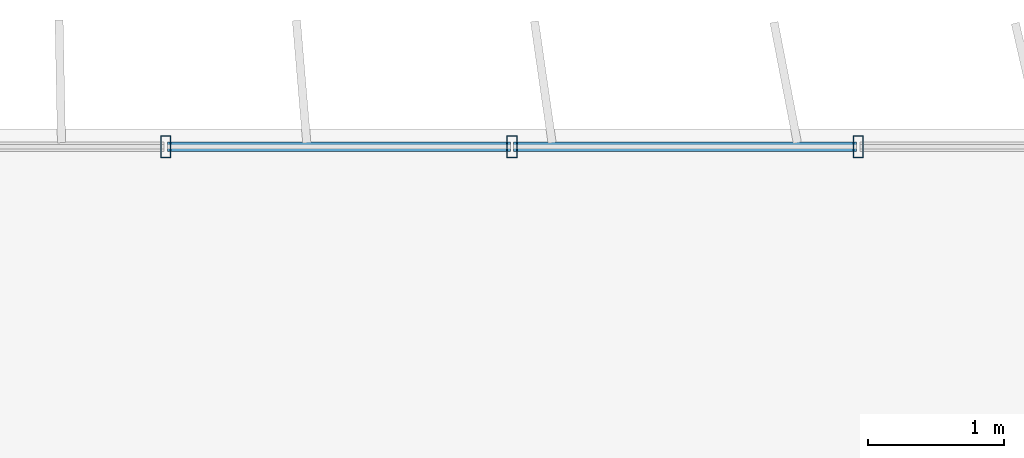
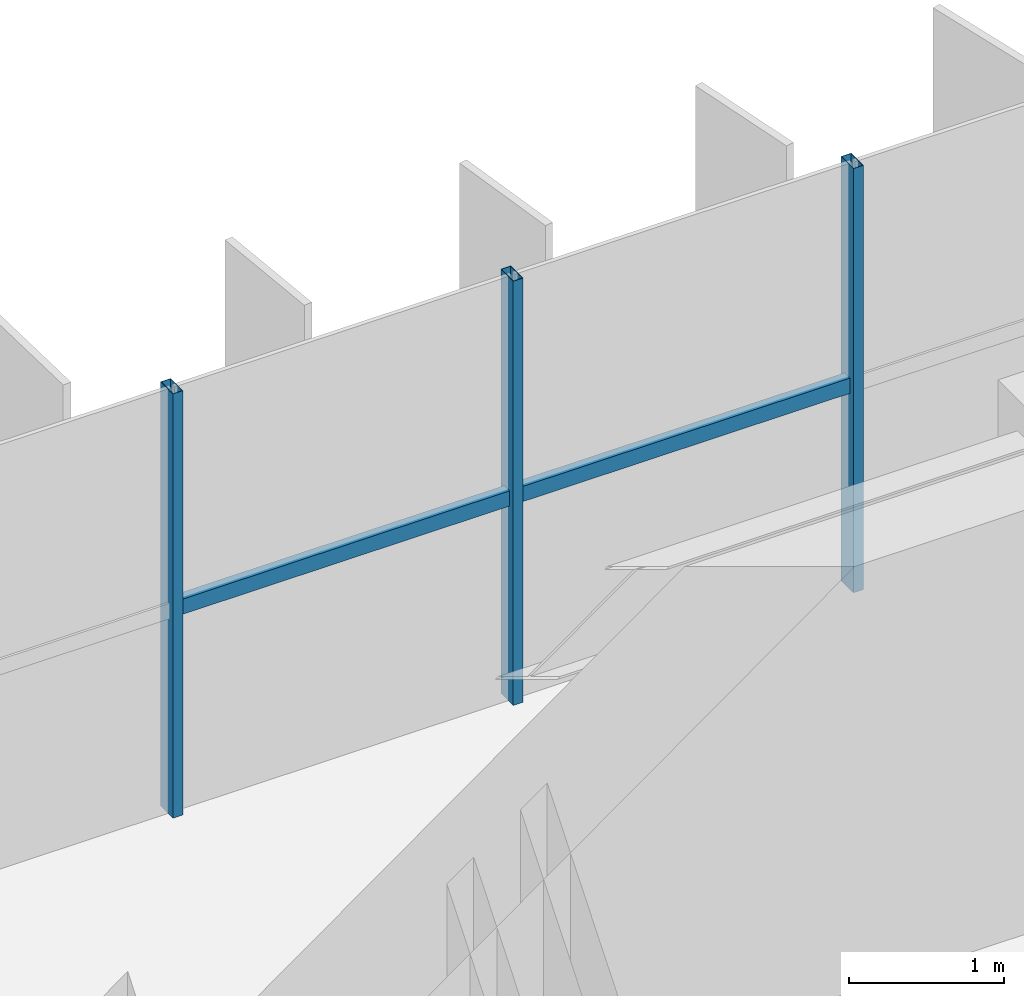
# One storey, part 6 of 21: 5 members, 1 element without a shape of its own.
"""IFC4 building model written with IfcOpenShell, lengths in metres."""

from ifc_helpers import new_model, si_unit, direction, frame, origin, origin_2d, place, context, subcontext, project, spatial, hollow_rectangle, extrude, source, transform, mapped, material, material_profile, profile_set, type_object, element, aggregate, save


model = new_model("IFC4")

# Units and contexts
model_context = context("Model", 3, precision=1e-05, world=origin(), true_north=direction((0.0, 1.0)))
body_context = subcontext(model_context, "Body", "Model", "MODEL_VIEW")
ifc_project = project(units=[si_unit("LENGTHUNIT", "METRE"), si_unit("AREAUNIT", "SQUARE_METRE"), si_unit("VOLUMEUNIT", "CUBIC_METRE"), si_unit("PLANEANGLEUNIT", "RADIAN"), si_unit("MASSUNIT", "GRAM", prefix="KILO")], contexts=[model_context])

# Site, building, storey
site_placement = place(None, origin())
site = spatial("IfcSite", under=ifc_project, at=site_placement, CompositionType="ELEMENT")
building_placement = place(site_placement, origin())
building = spatial("IfcBuilding", under=site, at=building_placement, Name="Trelvane Seafront Commons", CompositionType="ELEMENT")
storey_placement = place(building_placement, frame((0.0, 0.0, 160.89990234375)))
storey = spatial("IfcBuildingStorey", under=building, at=storey_placement, Name="L42", CompositionType="ELEMENT", Elevation=160.89990234375)

# Curtain wall, members
ifc_material = material(Name="Anodised pale-silver aluminium", Category="aluminium")
curtain_wall_type = type_object("IfcCurtainWallType", Name="ARCH-CW5-UPTOWER", PredefinedType="NOTDEFINED", material=ifc_material)
curtain_wall_placement = place(storey_placement, origin())
curtain_wall = element("IfcCurtainWall", 1, at=curtain_wall_placement, inside=storey, type_object=curtain_wall_type, Name="CW-L42-0069", PredefinedType="NOTDEFINED")
ifc_material_profile_1 = material_profile(ifc_material, hollow_rectangle(XDim=0.070068359375, YDim=0.1201171875, WallThickness=0.00390625, at=origin_2d()), Name="TRAN-70x120x4")
ifc_profile_set_1 = profile_set([ifc_material_profile_1], Name="Anodised pale-silver aluminium")
member_type_1 = type_object("IfcMemberType", Name="ARCH-CW-TRAN-120", PredefinedType="USERDEFINED", material=ifc_profile_set_1)
shared_shape_1 = source(origin(), body_context, "Body", "SweptSolid", [
    extrude(hollow_rectangle(XDim=0.070068359375, YDim=0.1201171875, WallThickness=0.00390625, at=origin_2d()), origin(), (0.0, 0.0, 1.0), 2.517333984375),
])
member_1_placement = place(storey_placement, frame((25.776611328125, 48.3701171875, 1.608154296875), z_axis=(1.0, 0.0, 0.0), x_axis=(0.0, 1.0, 0.0)))
member_1 = element("IfcMember", 2, at=member_1_placement, type_object=member_type_1, Name="CW-L42-0069-T04", ObjectType="TRANSOM", PredefinedType="USERDEFINED", context=body_context, shape_type="MappedRepresentation", body=[
    mapped(shared_shape_1, transform((0.0, 0.0, 0.0), x_axis=(1.0, 0.0, 0.0), y_axis=(0.0, 1.0, 0.0), z_axis=(0.0, 0.0, 1.0), scale=1.0)),
])
member_2_placement = place(storey_placement, frame((28.31787109375, 48.3701171875, 1.608154296875), z_axis=(1.0, 0.0, 0.0), x_axis=(0.0, 1.0, 0.0)))
member_2 = element("IfcMember", 3, at=member_2_placement, type_object=member_type_1, Name="CW-L42-0069-T05", ObjectType="TRANSOM", PredefinedType="USERDEFINED", context=body_context, shape_type="MappedRepresentation", body=[
    mapped(shared_shape_1, transform((0.0, 0.0, 0.0), x_axis=(1.0, 0.0, 0.0), y_axis=(0.0, 1.0, 0.0), z_axis=(0.0, 0.0, 1.0), scale=1.0)),
])
ifc_material_profile_2 = material_profile(ifc_material, hollow_rectangle(XDim=0.074951171875, YDim=0.159912109375, WallThickness=0.00390625, at=origin_2d()), Name="MULL-75x160x4")
ifc_profile_set_2 = profile_set([ifc_material_profile_2], Name="Anodised pale-silver aluminium")
member_type_2 = type_object("IfcMemberType", Name="ARCH-CW-MULL-160", PredefinedType="MULLION", material=ifc_profile_set_2)
shared_shape_2 = source(origin(), body_context, "Body", "SweptSolid", [
    extrude(hollow_rectangle(XDim=0.074951171875, YDim=0.159912109375, WallThickness=0.00390625, at=origin_2d()), origin(), (0.0, 0.0, 1.0), 3.35009765625),
])
member_3_placement = place(storey_placement, frame((25.7646484375, 48.3701171875, 0.0), z_axis=(0.0, 0.0, 1.0), x_axis=(1.0, 0.0, 0.0)))
member_3 = element("IfcMember", 4, at=member_3_placement, type_object=member_type_2, Name="CW-L42-0069-M04", PredefinedType="MULLION", context=body_context, shape_type="MappedRepresentation", body=[
    mapped(shared_shape_2, transform((0.0, 0.0, 0.0), x_axis=(1.0, 0.0, 0.0), y_axis=(0.0, 1.0, 0.0), z_axis=(0.0, 0.0, 1.0), scale=1.0)),
])
member_4_placement = place(storey_placement, frame((28.305908203125, 48.3701171875, 0.0), z_axis=(0.0, 0.0, 1.0), x_axis=(1.0, 0.0, 0.0)))
member_4 = element("IfcMember", 5, at=member_4_placement, type_object=member_type_2, Name="CW-L42-0069-M05", PredefinedType="MULLION", context=body_context, shape_type="MappedRepresentation", body=[
    mapped(shared_shape_2, transform((0.0, 0.0, 0.0), x_axis=(1.0, 0.0, 0.0), y_axis=(0.0, 1.0, 0.0), z_axis=(0.0, 0.0, 1.0), scale=1.0)),
])
member_5_placement = place(storey_placement, frame((30.84716796875, 48.3701171875, 0.0), z_axis=(0.0, 0.0, 1.0), x_axis=(1.0, 0.0, 0.0)))
member_5 = element("IfcMember", 6, at=member_5_placement, type_object=member_type_2, Name="CW-L42-0069-M06", PredefinedType="MULLION", context=body_context, shape_type="MappedRepresentation", body=[
    mapped(shared_shape_2, transform((0.0, 0.0, 0.0), x_axis=(1.0, 0.0, 0.0), y_axis=(0.0, 1.0, 0.0), z_axis=(0.0, 0.0, 1.0), scale=1.0)),
])
aggregate(curtain_wall, [member_3, member_4, member_5, member_1, member_2])

save(model, "model.ifc")
